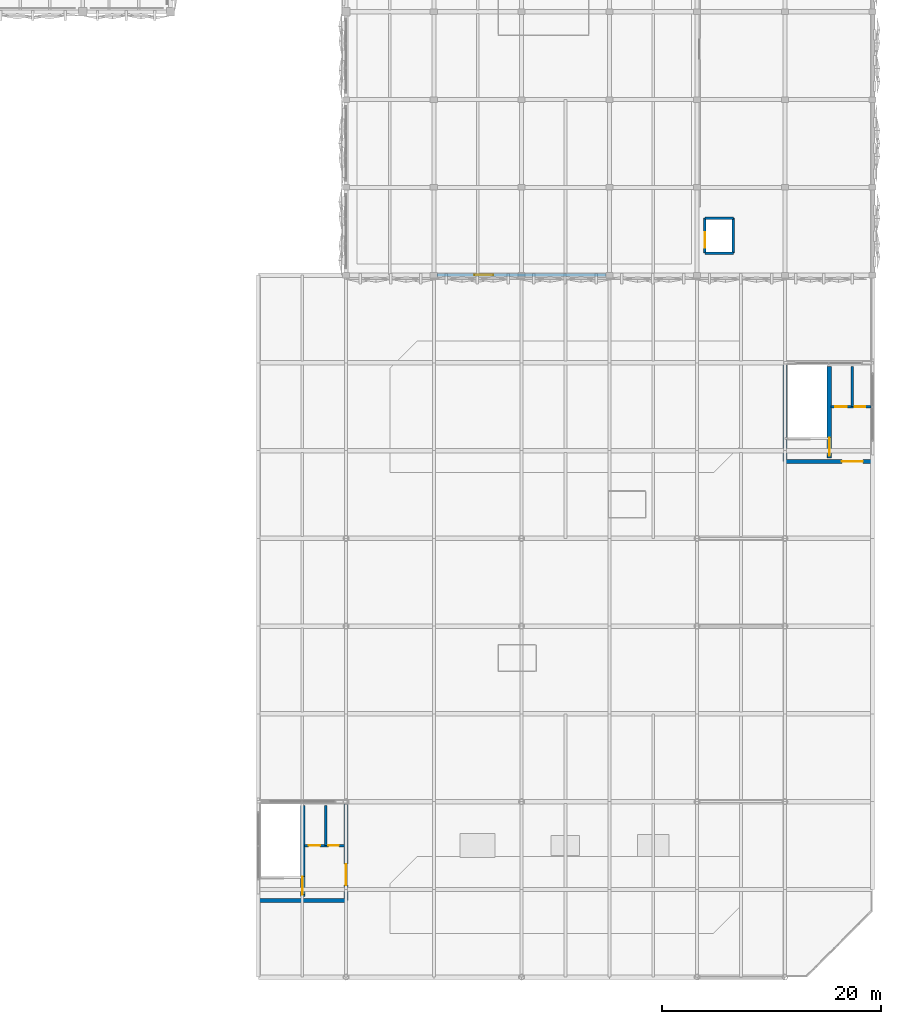
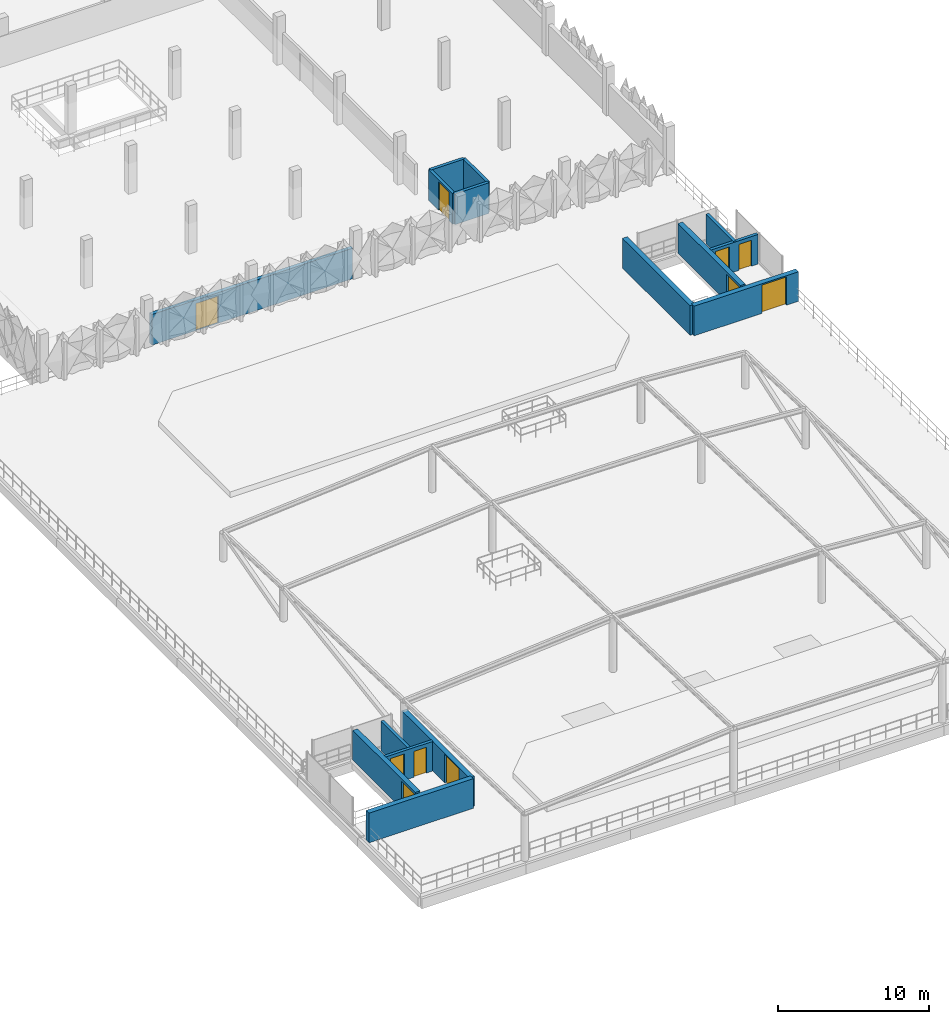
# One storey, part 42 of 76: 15 walls, 10 doors, 10 openings.
"""IFC4 building model written with IfcOpenShell, lengths in metres."""

from ifc_helpers import new_model, si_unit, derived_unit, direction, frame, frame_2d, origin, place, context, subcontext, project, spatial, rectangle, extrude, material, layer, layer_set, type_object, element, fill, save


model = new_model("IFC4")

# Units and contexts
model_context = context("Model", 3, precision=1e-05, world=origin(), true_north=direction((0.0, 1.0)))
body_context = subcontext(model_context, "Body", "Model", "MODEL_VIEW")
ifc_project = project(units=[si_unit("LENGTHUNIT", "METRE"), si_unit("AREAUNIT", "SQUARE_METRE"), si_unit("VOLUMEUNIT", "CUBIC_METRE"), si_unit("PLANEANGLEUNIT", "RADIAN"), si_unit("MASSUNIT", "GRAM", prefix="KILO"), si_unit("THERMODYNAMICTEMPERATUREUNIT", "KELVIN"), derived_unit("THERMALTRANSMITTANCEUNIT", [(si_unit("POWERUNIT", "WATT"), 1), (si_unit("AREAUNIT", "SQUARE_METRE"), -1), (si_unit("THERMODYNAMICTEMPERATUREUNIT", "KELVIN"), -1)])], contexts=[model_context])

# Site, building, storey
site_placement = place(None, origin())
site = spatial("IfcSite", under=ifc_project, at=site_placement, CompositionType="ELEMENT")
building_placement = place(site_placement, origin())
building = spatial("IfcBuilding", under=site, at=building_placement, Name="Haiyu Intermodal Mobility Hub", CompositionType="ELEMENT")
storey_placement = place(building_placement, frame((0.0, 0.0, 17.300048828125)))
storey = spatial("IfcBuildingStorey", under=building, at=storey_placement, Name="L04", CompositionType="ELEMENT", Elevation=17.300048828125)

# Wall, opening, door
ifc_material_1 = material(Name="Anodised aluminium 6063-T6", Category="aluminium")
ifc_layer_1 = layer(ifc_material_1, 0.280029296875)
ifc_layer_set_1 = layer_set([ifc_layer_1], Name="Anodised aluminium 6063-T6")
wall_type_1 = type_object("IfcWallType", Name="WAL-WE02", PredefinedType="STANDARD", material=ifc_layer_set_1)
wall_1_placement = place(storey_placement, frame((170.304931640625, 80.0, 0.0), z_axis=(0.0, 0.0, 1.0), x_axis=(1.0, 0.0, 0.0)))
wall_1 = element("IfcWall", 1, at=wall_1_placement, inside=storey, type_object=wall_type_1, Name="WAL-V5RG-ACC-157", PredefinedType="STANDARD", context=body_context, shape_type="SweptSolid", body=[
    extrude(rectangle(XDim=15.39013671875, YDim=0.280029296875, at=frame_2d((7.695068359375, 0.0))), origin(), (0.0, 0.0, 1.0), 2.47998046875),
])
opening_1_placement = place(wall_1_placement, frame((3.39501953125, 0.0, 0.0)))
opening_1 = element("IfcOpeningElement", 2, at=opening_1_placement, cuts=wall_1, Name="Opening DE07", PredefinedType="OPENING", context=body_context, shape_type="SweptSolid", body=[
    extrude(rectangle(XDim=1.699951171875, YDim=2.199951171875, at=frame_2d((0.85009765625, 1.10009765625))), frame((0.0, 0.14990234375, 0.0), z_axis=(0.0, -1.0, 0.0), x_axis=(1.0, 0.0, 0.0)), (0.0, 0.0, 1.0), 0.300048828125),
])
door_type_1 = type_object("IfcDoorType", Name="DR-DE07", OperationType="DOUBLE_DOOR_SINGLE_SWING", PredefinedType="DOOR", material=ifc_material_1)
door_1_placement = place(opening_1_placement, origin())
door_1 = element("IfcDoor", 3, at=door_1_placement, inside=storey, type_object=door_type_1, Name="WAL-V5RG-ACC-157-DR01", OperationType="DOUBLE_SWING_LEFT", OverallHeight=2.199951171875, OverallWidth=1.699951171875, PredefinedType="DOOR", context=body_context, shape_type="SweptSolid", body=[
    extrude(rectangle(XDim=1.699951171875, YDim=2.199951171875, at=frame_2d((0.85009765625, 1.10009765625))), frame((0.0, 0.02490234375, 0.0), z_axis=(0.0, -1.0, 0.0), x_axis=(1.0, 0.0, 0.0)), (0.0, 0.0, 1.0), 0.050048828125),
])
fill(opening_1, door_1)

# Wall
ifc_material_2 = material(Name="Autoclaved aerated concrete block A5.0", Category="concrete")
ifc_layer_2 = layer(ifc_material_2, 0.22998046875)
ifc_layer_set_2 = layer_set([ifc_layer_2], Name="Autoclaved aerated concrete block A5.0")
wall_type_2 = type_object("IfcWallType", Name="WAL-WI01", PredefinedType="PARTITIONING", material=ifc_layer_set_2)
wall_2_placement = place(storey_placement, frame((160.1298828125, 28.0, 0.0), z_axis=(0.0, 0.0, 1.0), x_axis=(0.0, 1.0, 0.0)))
element("IfcWall", 4, at=wall_2_placement, inside=storey, type_object=wall_type_2, Name="WAL-CORE-C8-LSH-L04", PredefinedType="PARTITIONING", context=body_context, shape_type="SweptSolid", body=[
    extrude(rectangle(XDim=3.64990234375, YDim=0.22998046875, at=frame_2d((1.824951171875, 0.0))), origin(), (0.0, 0.0, 1.0), 2.39990234375),
])

# Wall, openings, doors
wall_3_placement = place(storey_placement, frame((158.2099609375, 28.0, 0.0), z_axis=(0.0, 0.0, 1.0), x_axis=(1.0, 0.0, 0.0)))
wall_3 = element("IfcWall", 5, at=wall_3_placement, inside=storey, type_object=wall_type_2, Name="WAL-CORE-C8-LFT-L04", PredefinedType="PARTITIONING", context=body_context, shape_type="SweptSolid", body=[
    extrude(rectangle(XDim=3.630126953125, YDim=0.22998046875, at=frame_2d((1.81494140625, 0.0))), origin(), (0.0, 0.0, 1.0), 2.39990234375),
])
opening_2_placement = place(wall_3_placement, frame((0.3798828125, 0.0, 0.0)))
opening_2 = element("IfcOpeningElement", 6, at=opening_2_placement, cuts=wall_3, Name="Opening LD02", PredefinedType="OPENING", context=body_context, shape_type="SweptSolid", body=[
    extrude(rectangle(XDim=1.050048828125, YDim=2.14990234375, at=frame_2d((0.52490234375, 1.074951171875))), frame((0.0, 0.125, 0.0), z_axis=(0.0, -1.0, 0.0), x_axis=(1.0, 0.0, 0.0)), (0.0, 0.0, 1.0), 0.25),
])
opening_3_placement = place(wall_3_placement, frame((2.179931640625, 0.0, 0.0)))
opening_3 = element("IfcOpeningElement", 7, at=opening_3_placement, cuts=wall_3, Name="Opening DI07", PredefinedType="OPENING", context=body_context, shape_type="SweptSolid", body=[
    extrude(rectangle(XDim=0.949951171875, YDim=2.10009765625, at=frame_2d((0.47509765625, 1.050048828125))), frame((0.0, 0.125, 0.0), z_axis=(0.0, -1.0, 0.0), x_axis=(1.0, 0.0, 0.0)), (0.0, 0.0, 1.0), 0.25),
])
ifc_material_3 = material(Name="Steel Q355C", Category="steel")
door_type_2 = type_object("IfcDoorType", Name="DR-DI07", OperationType="NOTDEFINED", PredefinedType="DOOR", material=ifc_material_3)
door_2_placement = place(opening_3_placement, origin())
door_2 = element("IfcDoor", 8, at=door_2_placement, inside=storey, type_object=door_type_2, Name="Core C8 Accessible WC Door L04", OperationType="SINGLE_SWING_RIGHT", OverallHeight=2.10009765625, OverallWidth=0.949951171875, PredefinedType="DOOR", context=body_context, shape_type="SweptSolid", body=[
    extrude(rectangle(XDim=0.949951171875, YDim=2.10009765625, at=frame_2d((0.47509765625, 1.050048828125))), frame((0.0, 0.02490234375, 0.0), z_axis=(0.0, -1.0, 0.0), x_axis=(1.0, 0.0, 0.0)), (0.0, 0.0, 1.0), 0.050048828125),
])
fill(opening_3, door_2)
door_type_3 = type_object("IfcDoorType", Name="DR-LD02", OperationType="DOUBLE_DOOR_SLIDING", PredefinedType="DOOR", material=ifc_material_3)
door_3_placement = place(opening_2_placement, origin())
door_3 = element("IfcDoor", 9, at=door_3_placement, inside=storey, type_object=door_type_3, Name="Lift PL-03 Sliding Landing Door L04", OperationType="SLIDING_TO_LEFT", OverallHeight=2.14990234375, OverallWidth=1.050048828125, PredefinedType="DOOR", context=body_context, shape_type="SweptSolid", body=[
    extrude(rectangle(XDim=1.050048828125, YDim=2.14990234375, at=frame_2d((0.52490234375, 1.074951171875))), frame((0.0, 0.02490234375, 0.0), z_axis=(0.0, -1.0, 0.0), x_axis=(1.0, 0.0, 0.0)), (0.0, 0.0, 1.0), 0.050048828125),
])
fill(opening_2, door_3)

# Wall
wall_4_placement = place(storey_placement, frame((208.1298828125, 68.0, 0.0), z_axis=(0.0, 0.0, 1.0), x_axis=(0.0, 1.0, 0.0)))
element("IfcWall", 10, at=wall_4_placement, inside=storey, type_object=wall_type_2, Name="WAL-CORE-C9-LSH-L04", PredefinedType="PARTITIONING", context=body_context, shape_type="SweptSolid", body=[
    extrude(rectangle(XDim=3.64990234375, YDim=0.22998046875, at=frame_2d((1.824951171875, 0.0))), origin(), (0.0, 0.0, 1.0), 2.39990234375),
])

# Wall, openings, doors
wall_5_placement = place(storey_placement, frame((206.2099609375, 68.0, 0.0), z_axis=(0.0, 0.0, 1.0), x_axis=(1.0, 0.0, 0.0)))
wall_5 = element("IfcWall", 11, at=wall_5_placement, inside=storey, type_object=wall_type_2, Name="WAL-CORE-C9-LFT-L04", PredefinedType="PARTITIONING", context=body_context, shape_type="SweptSolid", body=[
    extrude(rectangle(XDim=3.630126953125, YDim=0.22998046875, at=frame_2d((1.81494140625, 0.0))), origin(), (0.0, 0.0, 1.0), 2.39990234375),
])
opening_4_placement = place(wall_5_placement, frame((0.3798828125, 0.0, 0.0)))
opening_4 = element("IfcOpeningElement", 12, at=opening_4_placement, cuts=wall_5, Name="Opening LD02", PredefinedType="OPENING", context=body_context, shape_type="SweptSolid", body=[
    extrude(rectangle(XDim=1.050048828125, YDim=2.14990234375, at=frame_2d((0.52490234375, 1.074951171875))), frame((0.0, 0.125, 0.0), z_axis=(0.0, -1.0, 0.0), x_axis=(1.0, 0.0, 0.0)), (0.0, 0.0, 1.0), 0.25),
])
opening_5_placement = place(wall_5_placement, frame((2.179931640625, 0.0, 0.0)))
opening_5 = element("IfcOpeningElement", 13, at=opening_5_placement, cuts=wall_5, Name="Opening DI07", PredefinedType="OPENING", context=body_context, shape_type="SweptSolid", body=[
    extrude(rectangle(XDim=0.949951171875, YDim=2.10009765625, at=frame_2d((0.47509765625, 1.050048828125))), frame((0.0, 0.125, 0.0), z_axis=(0.0, -1.0, 0.0), x_axis=(1.0, 0.0, 0.0)), (0.0, 0.0, 1.0), 0.25),
])
door_4_placement = place(opening_5_placement, origin())
door_4 = element("IfcDoor", 14, at=door_4_placement, inside=storey, type_object=door_type_2, Name="Core C9 Accessible WC Door L04", OperationType="SINGLE_SWING_RIGHT", OverallHeight=2.10009765625, OverallWidth=0.949951171875, PredefinedType="DOOR", context=body_context, shape_type="SweptSolid", body=[
    extrude(rectangle(XDim=0.949951171875, YDim=2.10009765625, at=frame_2d((0.47509765625, 1.050048828125))), frame((0.0, 0.02490234375, 0.0), z_axis=(0.0, -1.0, 0.0), x_axis=(1.0, 0.0, 0.0)), (0.0, 0.0, 1.0), 0.050048828125),
])
fill(opening_5, door_4)
door_5_placement = place(opening_4_placement, origin())
door_5 = element("IfcDoor", 15, at=door_5_placement, inside=storey, type_object=door_type_3, Name="Lift PL-04 Sliding Landing Door L04", OperationType="SLIDING_TO_LEFT", OverallHeight=2.14990234375, OverallWidth=1.050048828125, PredefinedType="DOOR", context=body_context, shape_type="SweptSolid", body=[
    extrude(rectangle(XDim=1.050048828125, YDim=2.14990234375, at=frame_2d((0.52490234375, 1.074951171875))), frame((0.0, 0.02490234375, 0.0), z_axis=(0.0, -1.0, 0.0), x_axis=(1.0, 0.0, 0.0)), (0.0, 0.0, 1.0), 0.050048828125),
])
fill(opening_4, door_5)

# Wall, opening, door
wall_6_placement = place(storey_placement, frame((194.699951171875, 82.0, 0.0), z_axis=(0.0, 0.0, 1.0), x_axis=(0.0, 1.0, 0.0)))
wall_6 = element("IfcWall", 16, at=wall_6_placement, inside=storey, type_object=wall_type_2, Name="WAL-GL-01-W-L04", PredefinedType="PARTITIONING", context=body_context, shape_type="SweptSolid", body=[
    extrude(rectangle(XDim=3.199951171875, YDim=0.22998046875, at=frame_2d((1.60009765625, 0.0))), origin(), (0.0, 0.0, 1.0), 2.47998046875),
])
opening_6_placement = place(wall_6_placement, frame((0.5, 0.0, 0.0)))
opening_6 = element("IfcOpeningElement", 17, at=opening_6_placement, cuts=wall_6, Name="Opening LD03", PredefinedType="OPENING", context=body_context, shape_type="SweptSolid", body=[
    extrude(rectangle(XDim=1.39990234375, YDim=2.300048828125, at=frame_2d((0.699951171875, 1.14990234375))), frame((0.0, 0.125, 0.0), z_axis=(0.0, -1.0, 0.0), x_axis=(1.0, 0.0, 0.0)), (0.0, 0.0, 1.0), 0.25),
])
door_type_4 = type_object("IfcDoorType", Name="DR-LD03", OperationType="DOUBLE_DOOR_SLIDING", PredefinedType="DOOR", material=ifc_material_3)
door_6_placement = place(opening_6_placement, origin())
door_6 = element("IfcDoor", 18, at=door_6_placement, inside=storey, type_object=door_type_4, Name="Goods Lift GL-01 Sliding Door L04", OperationType="SLIDING_TO_RIGHT", OverallHeight=2.300048828125, OverallWidth=1.39990234375, PredefinedType="DOOR", context=body_context, shape_type="SweptSolid", body=[
    extrude(rectangle(XDim=1.39990234375, YDim=2.300048828125, at=frame_2d((0.699951171875, 1.14990234375))), frame((0.0, 0.02490234375, 0.0), z_axis=(0.0, -1.0, 0.0), x_axis=(1.0, 0.0, 0.0)), (0.0, 0.0, 1.0), 0.050048828125),
])
fill(opening_6, door_6)

# Walls
wall_7_placement = place(storey_placement, frame((194.699951171875, 85.199951171875, 0.0), z_axis=(0.0, 0.0, 1.0), x_axis=(1.0, 0.0, 0.0)))
element("IfcWall", 19, at=wall_7_placement, inside=storey, type_object=wall_type_2, Name="WAL-GL-01-N-L04", PredefinedType="PARTITIONING", context=body_context, shape_type="SweptSolid", body=[
    extrude(rectangle(XDim=2.60009765625, YDim=0.22998046875, at=frame_2d((1.300048828125, 0.0))), origin(), (0.0, 0.0, 1.0), 2.47998046875),
])
wall_8_placement = place(storey_placement, frame((197.300048828125, 85.199951171875, 0.0), z_axis=(0.0, 0.0, 1.0), x_axis=(0.0, -1.0, 0.0)))
element("IfcWall", 20, at=wall_8_placement, inside=storey, type_object=wall_type_2, Name="WAL-GL-01-E-L04", PredefinedType="PARTITIONING", context=body_context, shape_type="SweptSolid", body=[
    extrude(rectangle(XDim=3.199951171875, YDim=0.22998046875, at=frame_2d((1.60009765625, 0.0))), origin(), (0.0, 0.0, 1.0), 2.47998046875),
])
wall_9_placement = place(storey_placement, frame((197.300048828125, 82.0, 0.0), z_axis=(0.0, 0.0, 1.0), x_axis=(-1.0, 0.0, 0.0)))
element("IfcWall", 21, at=wall_9_placement, inside=storey, type_object=wall_type_2, Name="WAL-GL-01-S-L04", PredefinedType="PARTITIONING", context=body_context, shape_type="SweptSolid", body=[
    extrude(rectangle(XDim=2.60009765625, YDim=0.22998046875, at=frame_2d((1.300048828125, 0.0))), origin(), (0.0, 0.0, 1.0), 2.47998046875),
])
ifc_material_4 = material(Name="Concrete C40", Category="concrete")
ifc_layer_3 = layer(ifc_material_4, 0.3798828125)
ifc_layer_set_3 = layer_set([ifc_layer_3], Name="Concrete C40")
wall_type_3 = type_object("IfcWallType", Name="WAL-WS03", PredefinedType="SHEAR", material=ifc_layer_set_3)
wall_10_placement = place(storey_placement, frame((154.0, 23.0, 0.0), z_axis=(0.0, 0.0, 1.0), x_axis=(1.0, 0.0, 0.0)))
element("IfcWall", 22, at=wall_10_placement, inside=storey, type_object=wall_type_3, Name="WAL-CORE-C8-S-L04", PredefinedType="SHEAR", context=body_context, shape_type="SweptSolid", body=[
    extrude(rectangle(XDim=8.0, YDim=0.3798828125, at=frame_2d((4.0, 0.0))), origin(), (0.0, 0.0, 1.0), 2.39990234375),
])

# Wall, opening, door
wall_11_placement = place(storey_placement, frame((162.0, 23.0, 0.0), z_axis=(0.0, 0.0, 1.0), x_axis=(0.0, 1.0, 0.0)))
wall_11 = element("IfcWall", 23, at=wall_11_placement, inside=storey, type_object=wall_type_3, Name="WAL-CORE-C8-E-L04", PredefinedType="SHEAR", context=body_context, shape_type="SweptSolid", body=[
    extrude(rectangle(XDim=9.0, YDim=0.3798828125, at=frame_2d((4.5, 0.0))), origin(), (0.0, 0.0, 1.0), 2.39990234375),
])
opening_7_placement = place(wall_11_placement, frame((1.39990234375, 0.0, 0.0)))
opening_7 = element("IfcOpeningElement", 24, at=opening_7_placement, cuts=wall_11, Name="Opening DI01", PredefinedType="OPENING", context=body_context, shape_type="SweptSolid", body=[
    extrude(rectangle(XDim=1.89990234375, YDim=2.300048828125, at=frame_2d((0.949951171875, 1.14990234375))), frame((0.0, 0.199951171875, 0.0), z_axis=(0.0, -1.0, 0.0), x_axis=(1.0, 0.0, 0.0)), (0.0, 0.0, 1.0), 0.39990234375),
])
door_type_5 = type_object("IfcDoorType", Name="DR-DI01", OperationType="DOUBLE_DOOR_SINGLE_SWING", PredefinedType="DOOR", material=ifc_material_3)
door_7_placement = place(opening_7_placement, origin())
door_7 = element("IfcDoor", 25, at=door_7_placement, inside=storey, type_object=door_type_5, Name="Core C8 Lobby Fire Door L04", OperationType="SINGLE_SWING_RIGHT", OverallHeight=2.300048828125, OverallWidth=1.89990234375, PredefinedType="DOOR", context=body_context, shape_type="SweptSolid", body=[
    extrude(rectangle(XDim=1.89990234375, YDim=2.300048828125, at=frame_2d((0.949951171875, 1.14990234375))), frame((0.0, 0.02490234375, 0.0), z_axis=(0.0, -1.0, 0.0), x_axis=(1.0, 0.0, 0.0)), (0.0, 0.0, 1.0), 0.050048828125),
])
fill(opening_7, door_7)

wall_12_placement = place(storey_placement, frame((158.050048828125, 23.35009765625, 0.0), z_axis=(0.0, 0.0, 1.0), x_axis=(0.0, 1.0, 0.0)))
wall_12 = element("IfcWall", 26, at=wall_12_placement, inside=storey, type_object=wall_type_3, Name="WAL-CORE-C8-MID-L04", PredefinedType="SHEAR", context=body_context, shape_type="SweptSolid", body=[
    extrude(rectangle(XDim=8.2998046875, YDim=0.3798828125, at=frame_2d((4.14990234375, 0.0))), origin(), (0.0, 0.0, 1.0), 2.39990234375),
])
opening_8_placement = place(wall_12_placement, frame((0.179931640625, 0.0, 0.0)))
opening_8 = element("IfcOpeningElement", 27, at=opening_8_placement, cuts=wall_12, Name="Opening DI02", PredefinedType="OPENING", context=body_context, shape_type="SweptSolid", body=[
    extrude(rectangle(XDim=1.64990234375, YDim=2.199951171875, at=frame_2d((0.824951171875, 1.10009765625))), frame((0.0, 0.199951171875, 0.0), z_axis=(0.0, -1.0, 0.0), x_axis=(1.0, 0.0, 0.0)), (0.0, 0.0, 1.0), 0.39990234375),
])
door_type_6 = type_object("IfcDoorType", Name="DR-DI02", OperationType="DOUBLE_DOOR_SINGLE_SWING", PredefinedType="DOOR", material=ifc_material_3)
door_8_placement = place(opening_8_placement, origin())
door_8 = element("IfcDoor", 28, at=door_8_placement, inside=storey, type_object=door_type_6, Name="Stair ST02 Fire Door L04", OperationType="SINGLE_SWING_RIGHT", OverallHeight=2.199951171875, OverallWidth=1.64990234375, PredefinedType="DOOR", context=body_context, shape_type="SweptSolid", body=[
    extrude(rectangle(XDim=1.64990234375, YDim=2.199951171875, at=frame_2d((0.824951171875, 1.10009765625))), frame((0.0, 0.02490234375, 0.0), z_axis=(0.0, -1.0, 0.0), x_axis=(1.0, 0.0, 0.0)), (0.0, 0.0, 1.0), 0.050048828125),
])
fill(opening_8, door_8)

wall_13_placement = place(storey_placement, frame((202.0, 63.0, 0.0), z_axis=(0.0, 0.0, 1.0), x_axis=(1.0, 0.0, 0.0)))
wall_13 = element("IfcWall", 29, at=wall_13_placement, inside=storey, type_object=wall_type_3, Name="WAL-CORE-C9-S-L04", PredefinedType="SHEAR", context=body_context, shape_type="SweptSolid", body=[
    extrude(rectangle(XDim=8.0, YDim=0.3798828125, at=frame_2d((4.0, 0.0))), origin(), (0.0, 0.0, 1.0), 2.39990234375),
])
opening_9_placement = place(wall_13_placement, frame((5.199951171875, 0.0, 0.0)))
opening_9 = element("IfcOpeningElement", 30, at=opening_9_placement, cuts=wall_13, Name="Opening DI01", PredefinedType="OPENING", context=body_context, shape_type="SweptSolid", body=[
    extrude(rectangle(XDim=1.89990234375, YDim=2.300048828125, at=frame_2d((0.949951171875, 1.14990234375))), frame((0.0, 0.199951171875, 0.0), z_axis=(0.0, -1.0, 0.0), x_axis=(1.0, 0.0, 0.0)), (0.0, 0.0, 1.0), 0.39990234375),
])
door_9_placement = place(opening_9_placement, origin())
door_9 = element("IfcDoor", 31, at=door_9_placement, inside=storey, type_object=door_type_5, Name="Core C9 Lobby Fire Door L04", OperationType="SINGLE_SWING_LEFT", OverallHeight=2.300048828125, OverallWidth=1.89990234375, PredefinedType="DOOR", context=body_context, shape_type="SweptSolid", body=[
    extrude(rectangle(XDim=1.89990234375, YDim=2.300048828125, at=frame_2d((0.949951171875, 1.14990234375))), frame((0.0, 0.02490234375, 0.0), z_axis=(0.0, -1.0, 0.0), x_axis=(1.0, 0.0, 0.0)), (0.0, 0.0, 1.0), 0.050048828125),
])
fill(opening_9, door_9)

# Wall
wall_14_placement = place(storey_placement, frame((202.0, 72.0, 0.0), z_axis=(0.0, 0.0, 1.0), x_axis=(0.0, -1.0, 0.0)))
element("IfcWall", 32, at=wall_14_placement, inside=storey, type_object=wall_type_3, Name="WAL-CORE-C9-W-L04", PredefinedType="SHEAR", context=body_context, shape_type="SweptSolid", body=[
    extrude(rectangle(XDim=9.0, YDim=0.3798828125, at=frame_2d((4.5, 0.0))), origin(), (0.0, 0.0, 1.0), 2.39990234375),
])

# Wall, opening, door
wall_15_placement = place(storey_placement, frame((206.050048828125, 63.35009765625, 0.0), z_axis=(0.0, 0.0, 1.0), x_axis=(0.0, 1.0, 0.0)))
wall_15 = element("IfcWall", 33, at=wall_15_placement, inside=storey, type_object=wall_type_3, Name="WAL-CORE-C9-MID-L04", PredefinedType="SHEAR", context=body_context, shape_type="SweptSolid", body=[
    extrude(rectangle(XDim=8.2998046875, YDim=0.3798828125, at=frame_2d((4.14990234375, 0.0))), origin(), (0.0, 0.0, 1.0), 2.39990234375),
])
opening_10_placement = place(wall_15_placement, frame((0.179931640625, 0.0, 0.0)))
opening_10 = element("IfcOpeningElement", 34, at=opening_10_placement, cuts=wall_15, Name="Opening DI02", PredefinedType="OPENING", context=body_context, shape_type="SweptSolid", body=[
    extrude(rectangle(XDim=1.64990234375, YDim=2.199951171875, at=frame_2d((0.824951171875, 1.10009765625))), frame((0.0, 0.199951171875, 0.0), z_axis=(0.0, -1.0, 0.0), x_axis=(1.0, 0.0, 0.0)), (0.0, 0.0, 1.0), 0.39990234375),
])
door_10_placement = place(opening_10_placement, origin())
door_10 = element("IfcDoor", 35, at=door_10_placement, inside=storey, type_object=door_type_6, Name="Stair ST03 Fire Door L04", OperationType="SINGLE_SWING_LEFT", OverallHeight=2.199951171875, OverallWidth=1.64990234375, PredefinedType="DOOR", context=body_context, shape_type="SweptSolid", body=[
    extrude(rectangle(XDim=1.64990234375, YDim=2.199951171875, at=frame_2d((0.824951171875, 1.10009765625))), frame((0.0, 0.02490234375, 0.0), z_axis=(0.0, -1.0, 0.0), x_axis=(1.0, 0.0, 0.0)), (0.0, 0.0, 1.0), 0.050048828125),
])
fill(opening_10, door_10)

save(model, "model.ifc")
